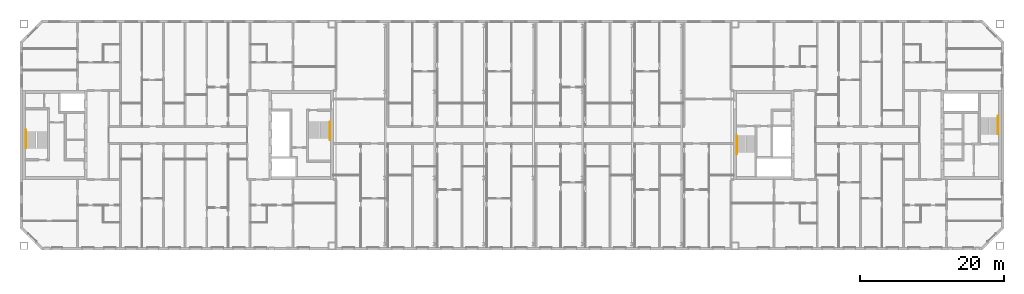
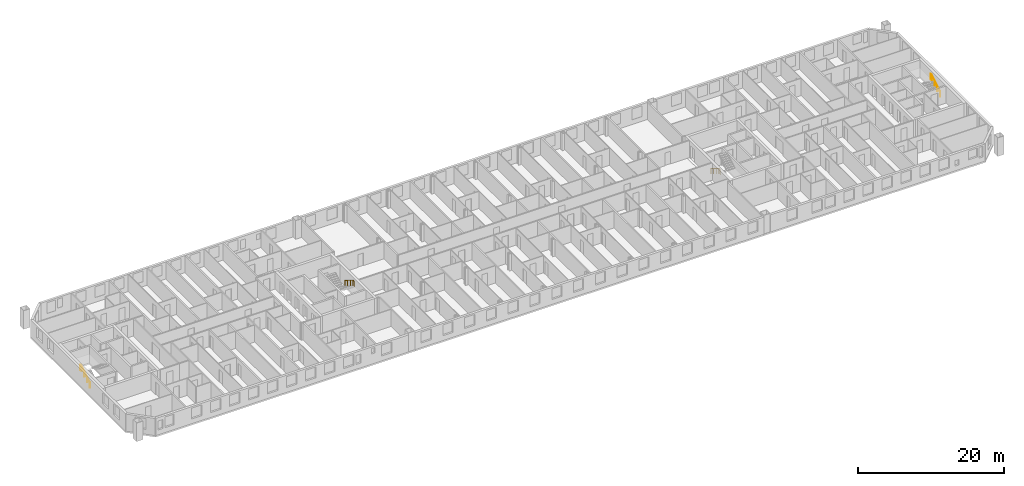
# One storey, part 19 of 19: 4 railings.
"""IFC4 building model written with IfcOpenShell, lengths in metres."""

from ifc_helpers import new_model, si_unit, direction, frame, origin, origin_2d, place, context, subcontext, project, spatial, circle, extrude, material, type_object, element, save


model = new_model("IFC4")

# Units and contexts
model_context = context("Model", 3, precision=1e-05, world=origin(), true_north=direction((0.0, 1.0)))
body_context = subcontext(model_context, "Body", "Model", "MODEL_VIEW")
ifc_project = project(units=[si_unit("LENGTHUNIT", "METRE"), si_unit("AREAUNIT", "SQUARE_METRE"), si_unit("VOLUMEUNIT", "CUBIC_METRE"), si_unit("PLANEANGLEUNIT", "RADIAN"), si_unit("MASSUNIT", "GRAM", prefix="KILO")], contexts=[model_context])

# Site, building, storey
site_placement = place(None, origin())
site = spatial("IfcSite", under=ifc_project, at=site_placement, CompositionType="ELEMENT")
building_placement = place(site_placement, origin())
building = spatial("IfcBuilding", under=site, at=building_placement, Name="Tuart Gate Housing", CompositionType="ELEMENT")
storey_placement = place(building_placement, frame((0.0, 0.0, 212.10009765625)))
storey = spatial("IfcBuildingStorey", under=building, at=storey_placement, Name="L60", CompositionType="ELEMENT", Elevation=212.10009765625)

# Railings
ifc_material = material(Name="Stainless steel", Category="steel")
railing_type = type_object("IfcRailingType", Name="Stair handrail 900", PredefinedType="HANDRAIL", material=ifc_material)
railing_1_placement = place(storey_placement, frame((75.179931640625, 71.824951171875, 0.172119140625)))
element("IfcRailing", 1, at=railing_1_placement, inside=storey, type_object=railing_type, Name="Stair handrail SA1.1", PredefinedType="HANDRAIL", context=body_context, shape_type="SweptSolid", body=[
    extrude(circle(Radius=0.02392578125, at=origin_2d()), frame((0.0, 0.0, 0.8759765625), z_axis=(0.0, -0.85178898068, 0.523885037382), x_axis=(1.0, 0.0, 0.0)), (0.0, 0.0, 1.0), 2.629638671875),
    extrude(circle(Radius=0.02392578125, at=origin_2d()), frame((0.0, -2.239990234375, 2.25341796875), z_axis=(0.0, -1.0, 0.0), x_axis=(1.0, 0.0, 0.0)), (0.0, 0.0, 1.0), 0.300048828125),
    extrude(circle(Radius=0.02099609375, at=origin_2d()), origin(), (0.0, 0.0, 1.0), 0.851806640625),
    extrude(circle(Radius=0.02099609375, at=origin_2d()), frame((0.0, -0.74658203125, 0.459228515625)), (0.0, 0.0, 1.0), 0.851806640625),
    extrude(circle(Radius=0.02099609375, at=origin_2d()), frame((0.0, -1.493408203125, 0.91845703125)), (0.0, 0.0, 1.0), 0.851806640625),
    extrude(circle(Radius=0.02099609375, at=origin_2d()), frame((0.0, -2.239990234375, 1.377685546875)), (0.0, 0.0, 1.0), 0.851806640625),
    extrude(circle(Radius=0.02099609375, at=origin_2d()), frame((0.0, -2.5400390625, 1.377685546875)), (0.0, 0.0, 1.0), 0.851806640625),
])
railing_2_placement = place(storey_placement, frame((32.820068359375, 68.175048828125, 0.172119140625)))
element("IfcRailing", 2, at=railing_2_placement, inside=storey, type_object=railing_type, Name="Stair handrail SA2.1", PredefinedType="HANDRAIL", context=body_context, shape_type="SweptSolid", body=[
    extrude(circle(Radius=0.02392578125, at=origin_2d()), frame((0.0, 0.0, 0.8759765625), z_axis=(0.0, 0.85178898068, 0.523885037382), x_axis=(-1.0, 0.0, 0.0)), (0.0, 0.0, 1.0), 2.629638671875),
    extrude(circle(Radius=0.02392578125, at=origin_2d()), frame((0.0, 2.239990234375, 2.25341796875), z_axis=(0.0, 1.0, 0.0), x_axis=(-1.0, 0.0, 0.0)), (0.0, 0.0, 1.0), 0.300048828125),
    extrude(circle(Radius=0.02099609375, at=origin_2d()), origin(), (0.0, 0.0, 1.0), 0.851806640625),
    extrude(circle(Radius=0.02099609375, at=origin_2d()), frame((0.0, 0.74658203125, 0.459228515625)), (0.0, 0.0, 1.0), 0.851806640625),
    extrude(circle(Radius=0.02099609375, at=origin_2d()), frame((0.0, 1.493408203125, 0.91845703125)), (0.0, 0.0, 1.0), 0.851806640625),
    extrude(circle(Radius=0.02099609375, at=origin_2d()), frame((0.0, 2.239990234375, 1.377685546875)), (0.0, 0.0, 1.0), 0.851806640625),
    extrude(circle(Radius=0.02099609375, at=origin_2d()), frame((0.0, 2.5400390625, 1.377685546875)), (0.0, 0.0, 1.0), 0.851806640625),
])
railing_3_placement = place(storey_placement, frame((131.820068359375, 69.875, 0.172119140625)))
element("IfcRailing", 3, at=railing_3_placement, inside=storey, type_object=railing_type, Name="Stair handrail SB1.1", PredefinedType="HANDRAIL", context=body_context, shape_type="SweptSolid", body=[
    extrude(circle(Radius=0.02392578125, at=origin_2d()), frame((0.0, 0.0, 0.8759765625), z_axis=(0.0, -0.85178898068, 0.523885037382), x_axis=(1.0, 0.0, 0.0)), (0.0, 0.0, 1.0), 2.629638671875),
    extrude(circle(Radius=0.02392578125, at=origin_2d()), frame((0.0, -2.239990234375, 2.25341796875), z_axis=(0.0, -1.0, 0.0), x_axis=(1.0, 0.0, 0.0)), (0.0, 0.0, 1.0), 0.300048828125),
    extrude(circle(Radius=0.02099609375, at=origin_2d()), origin(), (0.0, 0.0, 1.0), 0.851806640625),
    extrude(circle(Radius=0.02099609375, at=origin_2d()), frame((0.0, -0.74658203125, 0.459228515625)), (0.0, 0.0, 1.0), 0.851806640625),
    extrude(circle(Radius=0.02099609375, at=origin_2d()), frame((0.0, -1.493408203125, 0.91845703125)), (0.0, 0.0, 1.0), 0.851806640625),
    extrude(circle(Radius=0.02099609375, at=origin_2d()), frame((0.0, -2.239990234375, 1.377685546875)), (0.0, 0.0, 1.0), 0.851806640625),
    extrude(circle(Radius=0.02099609375, at=origin_2d()), frame((0.0, -2.5400390625, 1.377685546875)), (0.0, 0.0, 1.0), 0.851806640625),
])
railing_4_placement = place(storey_placement, frame((168.179931640625, 70.125, 0.172119140625)))
element("IfcRailing", 4, at=railing_4_placement, inside=storey, type_object=railing_type, Name="Stair handrail SB2.1", PredefinedType="HANDRAIL", context=body_context, shape_type="SweptSolid", body=[
    extrude(circle(Radius=0.02392578125, at=origin_2d()), frame((0.0, 0.0, 0.8759765625), z_axis=(0.0, 0.85178898068, 0.523885037382), x_axis=(-1.0, 0.0, 0.0)), (0.0, 0.0, 1.0), 2.629638671875),
    extrude(circle(Radius=0.02392578125, at=origin_2d()), frame((0.0, 2.239990234375, 2.25341796875), z_axis=(0.0, 1.0, 0.0), x_axis=(-1.0, 0.0, 0.0)), (0.0, 0.0, 1.0), 0.300048828125),
    extrude(circle(Radius=0.02099609375, at=origin_2d()), origin(), (0.0, 0.0, 1.0), 0.851806640625),
    extrude(circle(Radius=0.02099609375, at=origin_2d()), frame((0.0, 0.74658203125, 0.459228515625)), (0.0, 0.0, 1.0), 0.851806640625),
    extrude(circle(Radius=0.02099609375, at=origin_2d()), frame((0.0, 1.493408203125, 0.91845703125)), (0.0, 0.0, 1.0), 0.851806640625),
    extrude(circle(Radius=0.02099609375, at=origin_2d()), frame((0.0, 2.239990234375, 1.377685546875)), (0.0, 0.0, 1.0), 0.851806640625),
    extrude(circle(Radius=0.02099609375, at=origin_2d()), frame((0.0, 2.5400390625, 1.377685546875)), (0.0, 0.0, 1.0), 0.851806640625),
])

save(model, "model.ifc")
